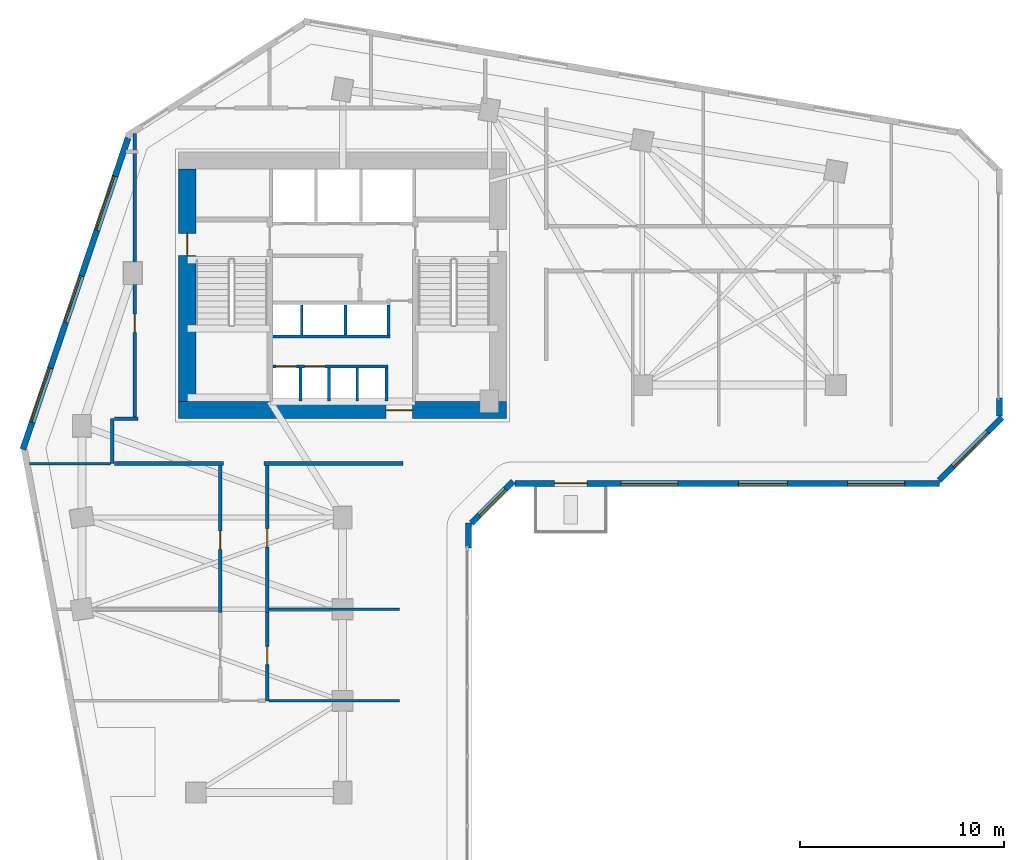
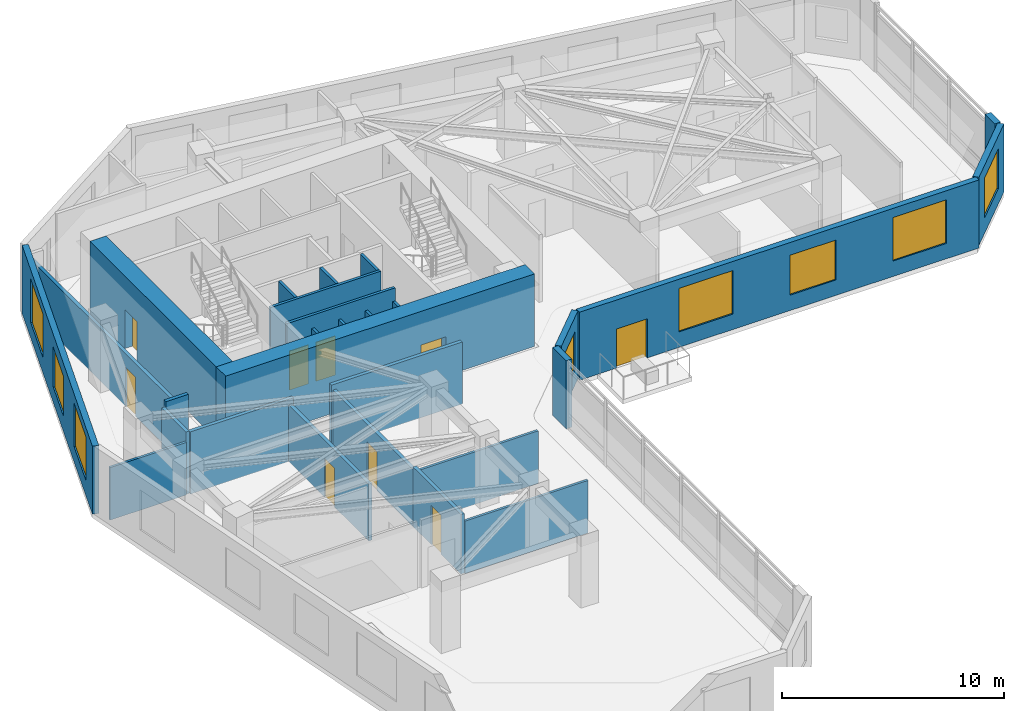
# One storey, part 5 of 9: 28 walls, 9 doors, 8 windows, 17 openings.
"""IFC4 building model written with IfcOpenShell, lengths in metres."""

from ifc_helpers import new_model, si_unit, direction, frame, frame_2d, origin, place, context, subcontext, project, spatial, rectangle, extrude, source, transform, mapped, material, layer, layer_set, type_object, element, fill, save


model = new_model("IFC4")

# Units and contexts
model_context = context("Model", 3, precision=1e-05, world=origin(), true_north=direction((0.0, 1.0)))
body_context = subcontext(model_context, "Body", "Model", "MODEL_VIEW")
ifc_project = project(units=[si_unit("LENGTHUNIT", "METRE"), si_unit("AREAUNIT", "SQUARE_METRE"), si_unit("VOLUMEUNIT", "CUBIC_METRE"), si_unit("PLANEANGLEUNIT", "RADIAN"), si_unit("MASSUNIT", "GRAM", prefix="KILO")], contexts=[model_context])

# Site, building, storey
site_placement = place(None, origin())
site = spatial("IfcSite", under=ifc_project, at=site_placement, CompositionType="ELEMENT")
building_placement = place(site_placement, origin())
building = spatial("IfcBuilding", under=site, at=building_placement, Name="Calvemar Wedge Station Tower", CompositionType="ELEMENT")
storey_placement = place(building_placement, frame((0.0, 0.0, 91.0)))
storey = spatial("IfcBuildingStorey", under=building, at=storey_placement, Name="L22", CompositionType="ELEMENT", Elevation=91.0)

# Wall, opening, door
ifc_material_1 = material(Name="Concrete C80", Category="concrete")
ifc_layer_1 = layer(ifc_material_1, 0.85009765625)
ifc_layer_set_1 = layer_set([ifc_layer_1], Name="Concrete C80")
wall_type_1 = type_object("IfcWallType", Name="SW-CORE-850", PredefinedType="SHEAR", material=ifc_layer_set_1)
wall_1_placement = place(storey_placement, frame((15.75, 33.77490234375, 0.0), z_axis=(0.0, 0.0, 1.0), x_axis=(1.0, 0.0, 0.0)))
wall_1 = element("IfcWall", 1, at=wall_1_placement, inside=storey, type_object=wall_type_1, Name="Storey L22 Core Shear Wall S", PredefinedType="SHEAR", context=body_context, shape_type="SweptSolid", body=[
    extrude(rectangle(XDim=16.10009765625, YDim=0.85009765625, at=frame_2d((8.050048828125, 0.0))), origin(), (0.0, 0.0, 1.0), 4.0),
])
shared_shape_1 = source(origin(), body_context, "Body", "SweptSolid", [
    extrude(rectangle(XDim=1.300048828125, YDim=2.14990234375, at=frame_2d((0.64990234375, 1.074951171875))), frame((0.0, 0.43505859375, 0.0), z_axis=(0.0, -1.0, 0.0), x_axis=(1.0, 0.0, 0.0)), (0.0, 0.0, 1.0), 0.8701171875),
])
opening_1_placement = place(wall_1_placement, frame((10.179931640625, 0.0, 0.0)))
opening_1 = element("IfcOpeningElement", 2, at=opening_1_placement, cuts=wall_1, Name="Opening DD-130", PredefinedType="OPENING", context=body_context, shape_type="MappedRepresentation", body=[
    mapped(shared_shape_1, transform((0.0, 0.0, 0.0), scale=1.0)),
])
ifc_material_2 = material(Name="Double-leaf lift lobby fire door EI 60")
door_type_1 = type_object("IfcDoorType", Name="DR-DBL-1300", OperationType="DOUBLE_DOOR_SINGLE_SWING", PredefinedType="DOOR", material=ifc_material_2)
shared_shape_2 = source(origin(), body_context, "Body", "SweptSolid", [
    extrude(rectangle(XDim=1.300048828125, YDim=2.14990234375, at=frame_2d((0.64990234375, 1.074951171875))), frame((0.0, 0.02490234375, 0.0), z_axis=(0.0, -1.0, 0.0), x_axis=(1.0, 0.0, 0.0)), (0.0, 0.0, 1.0), 0.050048828125),
])
door_1_placement = place(opening_1_placement, origin())
door_1 = element("IfcDoor", 3, at=door_1_placement, inside=storey, type_object=door_type_1, Name="L22 Passenger Lift Lobby Door", OperationType="DOUBLE_DOOR_SINGLE_SWING", OverallHeight=2.14990234375, OverallWidth=1.300048828125, PredefinedType="DOOR", context=body_context, shape_type="MappedRepresentation", body=[
    mapped(shared_shape_2, transform((0.0, 0.0, 0.0), scale=1.0)),
])
fill(opening_1, door_1)

wall_2_placement = place(storey_placement, frame((16.175048828125, 34.199951171875, 0.0), z_axis=(0.0, 0.0, 1.0), x_axis=(0.0, 1.0, 0.0)))
wall_2 = element("IfcWall", 4, at=wall_2_placement, inside=storey, type_object=wall_type_1, Name="Storey L22 Core Shear Wall W", PredefinedType="SHEAR", context=body_context, shape_type="SweptSolid", body=[
    extrude(rectangle(XDim=11.400146484375, YDim=0.85009765625, at=frame_2d((5.7001953125, 0.0))), origin(), (0.0, 0.0, 1.0), 4.0),
])
shared_shape_3 = source(origin(), body_context, "Body", "SweptSolid", [
    extrude(rectangle(XDim=1.10009765625, YDim=2.14990234375, at=frame_2d((0.550048828125, 1.074951171875))), frame((0.0, 0.43505859375, 0.0), z_axis=(0.0, -1.0, 0.0), x_axis=(1.0, 0.0, 0.0)), (0.0, 0.0, 1.0), 0.8701171875),
])
opening_2_placement = place(wall_2_placement, frame((7.14990234375, 0.0, 0.0)))
opening_2 = element("IfcOpeningElement", 5, at=opening_2_placement, cuts=wall_2, Name="Opening FD-90", PredefinedType="OPENING", context=body_context, shape_type="MappedRepresentation", body=[
    mapped(shared_shape_3, transform((0.0, 0.0, 0.0), scale=1.0)),
])
ifc_material_3 = material(Name="Galvanized fire-rated steel door leaf P-90", Category="steel")
door_type_2 = type_object("IfcDoorType", Name="DR-FD90-1100", OperationType="NOTDEFINED", PredefinedType="DOOR", material=ifc_material_3)
shared_shape_4 = source(origin(), body_context, "Body", "SweptSolid", [
    extrude(rectangle(XDim=1.10009765625, YDim=2.14990234375, at=frame_2d((0.550048828125, 1.074951171875))), frame((0.0, 0.02490234375, 0.0), z_axis=(0.0, -1.0, 0.0), x_axis=(1.0, 0.0, 0.0)), (0.0, 0.0, 1.0), 0.050048828125),
])
door_2_placement = place(opening_2_placement, origin())
door_2 = element("IfcDoor", 6, at=door_2_placement, inside=storey, type_object=door_type_2, Name="L22 West Corridor to Exit Stair ST-C1 Door", OperationType="SINGLE_SWING_LEFT", OverallHeight=2.14990234375, OverallWidth=1.10009765625, PredefinedType="DOOR", context=body_context, shape_type="MappedRepresentation", body=[
    mapped(shared_shape_4, transform((0.0, 0.0, 0.0), scale=1.0)),
])
fill(opening_2, door_2)

# Walls
ifc_material_4 = material(Name="Double-stud fire-rated corridor partition")
ifc_layer_2 = layer(ifc_material_4, 0.179931640625)
ifc_layer_set_2 = layer_set([ifc_layer_2], Name="Double-stud fire-rated corridor partition")
wall_type_2 = type_object("IfcWallType", Name="W-CORR-180", PredefinedType="PARTITIONING", material=ifc_layer_set_2)
wall_3_placement = place(storey_placement, frame((12.5, 31.14990234375, 0.0), z_axis=(0.0, 0.0, 1.0), x_axis=(0.0, 1.0, 0.0)))
element("IfcWall", 7, at=wall_3_placement, inside=storey, type_object=wall_type_2, Name="Storey L22 Interior Partition WL-L22-004", PredefinedType="PARTITIONING", context=body_context, shape_type="SweptSolid", body=[
    extrude(rectangle(XDim=2.2001953125, YDim=0.179931640625, at=frame_2d((1.10009765625, 0.0))), origin(), (0.0, 0.0, 1.0), 3.4189453125),
])
wall_4_placement = place(storey_placement, frame((12.593994140625, 33.35009765625, 0.0), z_axis=(0.0, 0.0, 1.0), x_axis=(1.0, 0.0, 0.0)))
element("IfcWall", 8, at=wall_4_placement, inside=storey, type_object=wall_type_2, Name="Storey L22 Interior Partition WL-L22-005", PredefinedType="PARTITIONING", context=body_context, shape_type="SweptSolid", body=[
    extrude(rectangle(XDim=1.166015625, YDim=0.179931640625, at=frame_2d((0.5830078125, 0.0))), origin(), (0.0, 0.0, 1.0), 3.75),
])
wall_5_placement = place(storey_placement, frame((17.9599609375, 31.14990234375, 0.0), z_axis=(0.0, 0.0, 1.0), x_axis=(-1.0, 0.0, 0.0)))
element("IfcWall", 9, at=wall_5_placement, inside=storey, type_object=wall_type_2, Name="Storey L22 Interior Partition WL-L22-006", PredefinedType="PARTITIONING", context=body_context, shape_type="SweptSolid", body=[
    extrude(rectangle(XDim=5.365966796875, YDim=0.179931640625, at=frame_2d((2.68310546875, 0.0))), origin(), (0.0, 0.0, 1.0), 3.4189453125),
])
wall_6_placement = place(storey_placement, frame((26.760009765625, 31.14990234375, 0.0), z_axis=(0.0, 0.0, 1.0), x_axis=(-1.0, 0.0, 0.0)))
element("IfcWall", 10, at=wall_6_placement, inside=storey, type_object=wall_type_2, Name="Storey L22 Interior Partition WL-L22-007", PredefinedType="PARTITIONING", context=body_context, shape_type="SweptSolid", body=[
    extrude(rectangle(XDim=6.820068359375, YDim=0.179931640625, at=frame_2d((3.41015625, 0.0))), origin(), (0.0, 0.0, 1.0), 3.4189453125),
])

# Wall, opening, door
wall_7_placement = place(storey_placement, frame((13.60009765625, 33.444091796875, 0.0), z_axis=(0.0, 0.0, 1.0), x_axis=(0.0, 1.0, 0.0)))
wall_7 = element("IfcWall", 11, at=wall_7_placement, inside=storey, type_object=wall_type_2, Name="Storey L22 Interior Partition WL-L22-008", PredefinedType="PARTITIONING", context=body_context, shape_type="SweptSolid", body=[
    extrude(rectangle(XDim=13.896240234375, YDim=0.179931640625, at=frame_2d((6.9482421875, 0.0))), origin(), (0.0, 0.0, 1.0), 2.89208984375),
])
shared_shape_5 = source(origin(), body_context, "Body", "SweptSolid", [
    extrude(rectangle(XDim=0.89990234375, YDim=2.14990234375, at=frame_2d((0.449951171875, 1.074951171875))), frame((0.0, 0.10009765625, 0.0), z_axis=(0.0, -1.0, 0.0), x_axis=(1.0, 0.0, 0.0)), (0.0, 0.0, 1.0), 0.199951171875),
])
opening_3_placement = place(wall_7_placement, frame((4.143798828125, 0.0, 0.0)))
opening_3 = element("IfcOpeningElement", 12, at=opening_3_placement, cuts=wall_7, Name="Opening D-01", PredefinedType="OPENING", context=body_context, shape_type="MappedRepresentation", body=[
    mapped(shared_shape_5, transform((0.0, 0.0, 0.0), scale=1.0)),
])
ifc_material_5 = material(Name="Architectural hardwood acoustic swing door", Category="wood")
door_type_3 = type_object("IfcDoorType", Name="DR-INT-900", OperationType="NOTDEFINED", PredefinedType="DOOR", material=ifc_material_5)
shared_shape_6 = source(origin(), body_context, "Body", "SweptSolid", [
    extrude(rectangle(XDim=0.89990234375, YDim=2.14990234375, at=frame_2d((0.449951171875, 1.074951171875))), frame((0.0, 0.02490234375, 0.0), z_axis=(0.0, -1.0, 0.0), x_axis=(1.0, 0.0, 0.0)), (0.0, 0.0, 1.0), 0.050048828125),
])
door_3_placement = place(opening_3_placement, origin())
door_3 = element("IfcDoor", 13, at=door_3_placement, inside=storey, type_object=door_type_3, Name="L22 Co-Working Studio Door", OperationType="SINGLE_SWING_LEFT", OverallHeight=2.14990234375, OverallWidth=0.89990234375, PredefinedType="DOOR", context=body_context, shape_type="MappedRepresentation", body=[
    mapped(shared_shape_6, transform((0.0, 0.0, 0.0), scale=1.0)),
])
fill(opening_3, door_3)

wall_8_placement = place(storey_placement, frame((17.800048828125, 23.840087890625, 0.0), z_axis=(0.0, 0.0, 1.0), x_axis=(0.0, 1.0, 0.0)))
wall_8 = element("IfcWall", 14, at=wall_8_placement, inside=storey, type_object=wall_type_2, Name="Storey L22 Interior Partition WL-L22-032", PredefinedType="PARTITIONING", context=body_context, shape_type="SweptSolid", body=[
    extrude(rectangle(XDim=7.2158203125, YDim=0.179931640625, at=frame_2d((3.60791015625, 0.0))), origin(), (0.0, 0.0, 1.0), 3.125),
])
opening_4_placement = place(wall_8_placement, frame((3.0966796875, 0.0, 0.0)))
opening_4 = element("IfcOpeningElement", 15, at=opening_4_placement, cuts=wall_8, Name="Opening D-01", PredefinedType="OPENING", context=body_context, shape_type="MappedRepresentation", body=[
    mapped(shared_shape_5, transform((0.0, 0.0, 0.0), scale=1.0)),
])
door_4_placement = place(opening_4_placement, origin())
door_4 = element("IfcDoor", 16, at=door_4_placement, inside=storey, type_object=door_type_3, Name="L22 Co-Working Studio Door", OperationType="SINGLE_SWING_RIGHT", OverallHeight=2.14990234375, OverallWidth=0.89990234375, PredefinedType="DOOR", context=body_context, shape_type="MappedRepresentation", body=[
    mapped(shared_shape_6, transform((0.0, 0.0, 0.0), scale=1.0)),
])
fill(opening_4, door_4)

wall_9_placement = place(storey_placement, frame((20.10009765625, 31.055908203125, 0.0), z_axis=(0.0, 0.0, 1.0), x_axis=(0.0, -1.0, 0.0)))
wall_9 = element("IfcWall", 17, at=wall_9_placement, inside=storey, type_object=wall_type_2, Name="Storey L22 Interior Partition WL-L22-034", PredefinedType="PARTITIONING", context=body_context, shape_type="SweptSolid", body=[
    extrude(rectangle(XDim=7.2158203125, YDim=0.179931640625, at=frame_2d((3.60791015625, 0.0))), origin(), (0.0, 0.0, 1.0), 3.125),
])
opening_5_placement = place(wall_9_placement, frame((3.0966796875, 0.0, 0.0)))
opening_5 = element("IfcOpeningElement", 18, at=opening_5_placement, cuts=wall_9, Name="Opening D-01", PredefinedType="OPENING", context=body_context, shape_type="MappedRepresentation", body=[
    mapped(shared_shape_5, transform((0.0, 0.0, 0.0), scale=1.0)),
])
door_5_placement = place(opening_5_placement, origin())
door_5 = element("IfcDoor", 19, at=door_5_placement, inside=storey, type_object=door_type_3, Name="L22 Meeting Room Door", OperationType="SINGLE_SWING_RIGHT", OverallHeight=2.14990234375, OverallWidth=0.89990234375, PredefinedType="DOOR", context=body_context, shape_type="MappedRepresentation", body=[
    mapped(shared_shape_6, transform((0.0, 0.0, 0.0), scale=1.0)),
])
fill(opening_5, door_5)

wall_10_placement = place(storey_placement, frame((20.10009765625, 23.837890625, 0.0), z_axis=(0.0, 0.0, 1.0), x_axis=(0.0, -1.0, 0.0)))
wall_10 = element("IfcWall", 20, at=wall_10_placement, inside=storey, type_object=wall_type_2, Name="Storey L22 Interior Partition WL-L22-035", PredefinedType="PARTITIONING", context=body_context, shape_type="SweptSolid", body=[
    extrude(rectangle(XDim=4.337890625, YDim=0.179931640625, at=frame_2d((2.1689453125, 0.0))), origin(), (0.0, 0.0, 1.0), 3.279052734375),
])
opening_6_placement = place(wall_10_placement, frame((1.656494140625, 0.0, 0.0)))
opening_6 = element("IfcOpeningElement", 21, at=opening_6_placement, cuts=wall_10, Name="Opening D-01", PredefinedType="OPENING", context=body_context, shape_type="MappedRepresentation", body=[
    mapped(shared_shape_5, transform((0.0, 0.0, 0.0), scale=1.0)),
])
door_6_placement = place(opening_6_placement, origin())
door_6 = element("IfcDoor", 22, at=door_6_placement, inside=storey, type_object=door_type_3, Name="L22 Office Door", OperationType="SINGLE_SWING_LEFT", OverallHeight=2.14990234375, OverallWidth=0.89990234375, PredefinedType="DOOR", context=body_context, shape_type="MappedRepresentation", body=[
    mapped(shared_shape_6, transform((0.0, 0.0, 0.0), scale=1.0)),
])
fill(opening_6, door_6)

# Wall
ifc_material_6 = material(Name="Precast concrete C45", Category="concrete")
ifc_layer_3 = layer(ifc_material_6, 0.300048828125)
ifc_layer_set_3 = layer_set([ifc_layer_3], Name="Precast concrete C45")
wall_type_3 = type_object("IfcWallType", Name="W-EXT-GFRC-300", PredefinedType="SOLIDWALL", material=ifc_layer_set_3)
wall_11_placement = place(storey_placement, frame((29.97802734375, 27.01513671875, 0.0), z_axis=(0.0, 0.0, 1.0), x_axis=(0.0, 1.0, 0.0)))
element("IfcWall", 23, at=wall_11_placement, inside=storey, type_object=wall_type_3, Name="Storey L22 Bronze GFRC Corner Pier 4B", PredefinedType="SOLIDWALL", context=body_context, shape_type="SweptSolid", body=[
    extrude(rectangle(XDim=1.224853515625, YDim=0.300048828125, at=frame_2d((0.6123046875, 0.0))), origin(), (0.0, 0.0, 1.0), 3.75),
])

# Wall, opening, window
wall_12_placement = place(storey_placement, frame((30.115966796875, 28.22802734375, 0.0), z_axis=(0.0, 0.0, 1.0), x_axis=(0.707064797706, 0.707148762175, 0.0)))
wall_12 = element("IfcWall", 24, at=wall_12_placement, inside=storey, type_object=wall_type_3, Name="Storey L22 Bronze GFRC Exterior Wall 5", PredefinedType="SOLIDWALL", context=body_context, shape_type="SweptSolid", body=[
    extrude(rectangle(XDim=2.90771484375, YDim=0.300048828125, at=frame_2d((1.453857421875, 0.0))), origin(), (0.0, 0.0, 1.0), 3.75),
])
shared_shape_7 = source(origin(), body_context, "Body", "SweptSolid", [
    extrude(rectangle(XDim=1.800048828125, YDim=2.10009765625, at=frame_2d((0.89990234375, 1.050048828125))), frame((0.0, 0.16015625, 0.0), z_axis=(0.0, -1.0, 0.0), x_axis=(1.0, 0.0, 0.0)), (0.0, 0.0, 1.0), 0.320068359375),
])
opening_7_placement = place(wall_12_placement, frame((0.553955078125, 0.0, 0.85009765625)))
opening_7 = element("IfcOpeningElement", 25, at=opening_7_placement, cuts=wall_12, Name="Opening W2", PredefinedType="OPENING", context=body_context, shape_type="MappedRepresentation", body=[
    mapped(shared_shape_7, transform((0.0, 0.0, 0.0), scale=1.0)),
])
ifc_material_7 = material(Name="Low-E laminated insulated glass", Category="glass")
window_type_1 = type_object("IfcWindowType", Name="WIN-EXT-2", PartitioningType="SINGLE_PANEL", PredefinedType="WINDOW", material=ifc_material_7)
shared_shape_8 = source(origin(), body_context, "Body", "SweptSolid", [
    extrude(rectangle(XDim=1.800048828125, YDim=2.10009765625, at=frame_2d((0.89990234375, 1.050048828125))), frame((0.0, -0.014892578125, 0.0), z_axis=(0.0, -1.0, 0.0), x_axis=(1.0, 0.0, 0.0)), (0.0, 0.0, 1.0), 0.06005859375),
])
window_1_placement = place(opening_7_placement, origin())
window_1 = element("IfcWindow", 26, at=window_1_placement, inside=storey, type_object=window_type_1, Name="Storey L22 Recessed Window 5.1", OverallHeight=2.10009765625, OverallWidth=1.800048828125, PartitioningType="SINGLE_PANEL", PredefinedType="WINDOW", context=body_context, shape_type="MappedRepresentation", body=[
    mapped(shared_shape_8, transform((0.0, 0.0, 0.0), scale=1.0)),
])
fill(opening_7, window_1)

# Wall, openings, windows, door
wall_13_placement = place(storey_placement, frame((32.260986328125, 30.177978515625, 0.0), z_axis=(0.0, 0.0, 1.0), x_axis=(1.0, 0.0, 0.0)))
wall_13 = element("IfcWall", 27, at=wall_13_placement, inside=storey, type_object=wall_type_3, Name="Storey L22 Bronze GFRC Exterior Wall 6", PredefinedType="SOLIDWALL", context=body_context, shape_type="SweptSolid", body=[
    extrude(rectangle(XDim=20.826904296875, YDim=0.300048828125, at=frame_2d((10.41357421875, 0.0))), origin(), (0.0, 0.0, 1.0), 3.75),
])
shared_shape_9 = source(origin(), body_context, "Body", "SweptSolid", [
    extrude(rectangle(XDim=1.60009765625, YDim=2.14990234375, at=frame_2d((0.800048828125, 1.074951171875))), frame((0.0, 0.16015625, 0.0), z_axis=(0.0, -1.0, 0.0), x_axis=(1.0, 0.0, 0.0)), (0.0, 0.0, 1.0), 0.320068359375),
])
opening_8_placement = place(wall_13_placement, frame((1.93896484375, 0.0, 0.0)))
opening_8 = element("IfcOpeningElement", 28, at=opening_8_placement, cuts=wall_13, Name="Opening DT1", PredefinedType="OPENING", context=body_context, shape_type="MappedRepresentation", body=[
    mapped(shared_shape_9, transform((0.0, 0.0, 0.0), scale=1.0)),
])
shared_shape_10 = source(origin(), body_context, "Body", "SweptSolid", [
    extrude(rectangle(XDim=2.800048828125, YDim=2.39990234375, at=frame_2d((1.39990234375, 1.199951171875))), frame((0.0, 0.16015625, 0.0), z_axis=(0.0, -1.0, 0.0), x_axis=(1.0, 0.0, 0.0)), (0.0, 0.0, 1.0), 0.320068359375),
])
opening_9_placement = place(wall_13_placement, frame((5.199951171875, 0.0, 0.85009765625)))
opening_9 = element("IfcOpeningElement", 29, at=opening_9_placement, cuts=wall_13, Name="Opening W6", PredefinedType="OPENING", context=body_context, shape_type="MappedRepresentation", body=[
    mapped(shared_shape_10, transform((0.0, 0.0, 0.0), scale=1.0)),
])
shared_shape_11 = source(origin(), body_context, "Body", "SweptSolid", [
    extrude(rectangle(XDim=2.39990234375, YDim=2.199951171875, at=frame_2d((1.199951171875, 1.10009765625))), frame((0.0, 0.16015625, 0.0), z_axis=(0.0, -1.0, 0.0), x_axis=(1.0, 0.0, 0.0)), (0.0, 0.0, 1.0), 0.320068359375),
])
opening_10_placement = place(wall_13_placement, frame((10.962890625, 0.0, 0.85009765625)))
opening_10 = element("IfcOpeningElement", 30, at=opening_10_placement, cuts=wall_13, Name="Opening W1", PredefinedType="OPENING", context=body_context, shape_type="MappedRepresentation", body=[
    mapped(shared_shape_11, transform((0.0, 0.0, 0.0), scale=1.0)),
])
opening_11_placement = place(wall_13_placement, frame((16.325927734375, 0.0, 0.85009765625)))
opening_11 = element("IfcOpeningElement", 31, at=opening_11_placement, cuts=wall_13, Name="Opening W6", PredefinedType="OPENING", context=body_context, shape_type="MappedRepresentation", body=[
    mapped(shared_shape_10, transform((0.0, 0.0, 0.0), scale=1.0)),
])
window_type_2 = type_object("IfcWindowType", Name="WIN-EXT-6", PartitioningType="SINGLE_PANEL", PredefinedType="WINDOW", material=ifc_material_7)
shared_shape_12 = source(origin(), body_context, "Body", "SweptSolid", [
    extrude(rectangle(XDim=2.800048828125, YDim=2.39990234375, at=frame_2d((1.39990234375, 1.199951171875))), frame((0.0, -0.014892578125, 0.0), z_axis=(0.0, -1.0, 0.0), x_axis=(1.0, 0.0, 0.0)), (0.0, 0.0, 1.0), 0.06005859375),
])
window_2_placement = place(opening_9_placement, origin())
window_2 = element("IfcWindow", 32, at=window_2_placement, inside=storey, type_object=window_type_2, Name="Storey L22 Recessed Window 6.1", OverallHeight=2.39990234375, OverallWidth=2.800048828125, PartitioningType="SINGLE_PANEL", PredefinedType="WINDOW", context=body_context, shape_type="MappedRepresentation", body=[
    mapped(shared_shape_12, transform((0.0, 0.0, 0.0), scale=1.0)),
])
fill(opening_9, window_2)
window_3_placement = place(opening_11_placement, origin())
window_3 = element("IfcWindow", 33, at=window_3_placement, inside=storey, type_object=window_type_2, Name="Storey L22 Recessed Window 6.3", OverallHeight=2.39990234375, OverallWidth=2.800048828125, PartitioningType="SINGLE_PANEL", PredefinedType="WINDOW", context=body_context, shape_type="MappedRepresentation", body=[
    mapped(shared_shape_12, transform((0.0, 0.0, 0.0), scale=1.0)),
])
fill(opening_11, window_3)
window_type_3 = type_object("IfcWindowType", Name="WIN-EXT-1", PartitioningType="SINGLE_PANEL", PredefinedType="WINDOW", material=ifc_material_7)
shared_shape_13 = source(origin(), body_context, "Body", "SweptSolid", [
    extrude(rectangle(XDim=2.39990234375, YDim=2.199951171875, at=frame_2d((1.199951171875, 1.10009765625))), frame((0.0, -0.014892578125, 0.0), z_axis=(0.0, -1.0, 0.0), x_axis=(1.0, 0.0, 0.0)), (0.0, 0.0, 1.0), 0.06005859375),
])
window_4_placement = place(opening_10_placement, origin())
window_4 = element("IfcWindow", 34, at=window_4_placement, inside=storey, type_object=window_type_3, Name="Storey L22 Recessed Window 6.2", OverallHeight=2.199951171875, OverallWidth=2.39990234375, PartitioningType="SINGLE_PANEL", PredefinedType="WINDOW", context=body_context, shape_type="MappedRepresentation", body=[
    mapped(shared_shape_13, transform((0.0, 0.0, 0.0), scale=1.0)),
])
fill(opening_10, window_4)
ifc_material_8 = material(Name="Anodised aluminium 6063-T6", Category="aluminium")
door_type_4 = type_object("IfcDoorType", Name="DR-TERR-1600", OperationType="DOUBLE_DOOR_SLIDING", PredefinedType="DOOR", material=ifc_material_8)
shared_shape_14 = source(origin(), body_context, "Body", "SweptSolid", [
    extrude(rectangle(XDim=1.60009765625, YDim=2.14990234375, at=frame_2d((0.800048828125, 1.074951171875))), frame((0.0, 0.02490234375, 0.0), z_axis=(0.0, -1.0, 0.0), x_axis=(1.0, 0.0, 0.0)), (0.0, 0.0, 1.0), 0.050048828125),
])
door_7_placement = place(opening_8_placement, origin())
door_7 = element("IfcDoor", 35, at=door_7_placement, inside=storey, type_object=door_type_4, Name="Storey L22 Spiral Terrace Door", OperationType="DOUBLE_DOOR_SLIDING", OverallHeight=2.14990234375, OverallWidth=1.60009765625, PredefinedType="DOOR", context=body_context, shape_type="MappedRepresentation", body=[
    mapped(shared_shape_14, transform((0.0, 0.0, 0.0), scale=1.0)),
])
fill(opening_8, door_7)

# Wall, opening, window
wall_14_placement = place(storey_placement, frame((53.075927734375, 30.31591796875, 0.0), z_axis=(0.0, 0.0, 1.0), x_axis=(0.707078757535, 0.707134803727, 0.0)))
wall_14 = element("IfcWall", 36, at=wall_14_placement, inside=storey, type_object=wall_type_3, Name="Storey L22 Bronze GFRC Exterior Wall 7", PredefinedType="SOLIDWALL", context=body_context, shape_type="SweptSolid", body=[
    extrude(rectangle(XDim=4.35595703125, YDim=0.300048828125, at=frame_2d((2.177978515625, 0.0))), origin(), (0.0, 0.0, 1.0), 3.75),
])
opening_12_placement = place(wall_14_placement, frame((0.97802734375, 0.0, 0.85009765625)))
opening_12 = element("IfcOpeningElement", 37, at=opening_12_placement, cuts=wall_14, Name="Opening W1", PredefinedType="OPENING", context=body_context, shape_type="MappedRepresentation", body=[
    mapped(shared_shape_11, transform((0.0, 0.0, 0.0), scale=1.0)),
])
window_5_placement = place(opening_12_placement, origin())
window_5 = element("IfcWindow", 38, at=window_5_placement, inside=storey, type_object=window_type_3, Name="Storey L22 Recessed Window 7.1", OverallHeight=2.199951171875, OverallWidth=2.39990234375, PartitioningType="SINGLE_PANEL", PredefinedType="WINDOW", context=body_context, shape_type="MappedRepresentation", body=[
    mapped(shared_shape_13, transform((0.0, 0.0, 0.0), scale=1.0)),
])
fill(opening_12, window_5)

# Wall
wall_15_placement = place(storey_placement, frame((56.050048828125, 33.4853515625, 0.0), z_axis=(0.0, 0.0, 1.0), x_axis=(0.0, 1.0, 0.0)))
element("IfcWall", 39, at=wall_15_placement, inside=storey, type_object=wall_type_3, Name="Storey L22 Bronze GFRC Corner Pier 8A", PredefinedType="SOLIDWALL", context=body_context, shape_type="SweptSolid", body=[
    extrude(rectangle(XDim=0.879638671875, YDim=0.300048828125, at=frame_2d((0.43994140625, 0.0))), origin(), (0.0, 0.0, 1.0), 3.75),
])

# Wall, openings, windows
wall_16_placement = place(storey_placement, frame((13.2685546875, 47.1337890625, 0.0), z_axis=(0.0, 0.0, 1.0), x_axis=(-0.319920423265, -0.947444416722, 0.0)))
wall_16 = element("IfcWall", 40, at=wall_16_placement, inside=storey, type_object=wall_type_3, Name="Storey L22 Bronze GFRC Exterior Wall 12", PredefinedType="SOLIDWALL", context=body_context, shape_type="SweptSolid", body=[
    extrude(rectangle(XDim=16.134765625, YDim=0.300048828125, at=frame_2d((8.0673828125, 0.0))), origin(), (0.0, 0.0, 1.0), 3.75),
])
opening_13_placement = place(wall_16_placement, frame((1.988037109375, 0.0, 0.85009765625)))
opening_13 = element("IfcOpeningElement", 41, at=opening_13_placement, cuts=wall_16, Name="Opening W6", PredefinedType="OPENING", context=body_context, shape_type="MappedRepresentation", body=[
    mapped(shared_shape_10, transform((0.0, 0.0, 0.0), scale=1.0)),
])
opening_14_placement = place(wall_16_placement, frame((7.158935546875, 0.0, 0.85009765625)))
opening_14 = element("IfcOpeningElement", 42, at=opening_14_placement, cuts=wall_16, Name="Opening W1", PredefinedType="OPENING", context=body_context, shape_type="MappedRepresentation", body=[
    mapped(shared_shape_11, transform((0.0, 0.0, 0.0), scale=1.0)),
])
opening_15_placement = place(wall_16_placement, frame((11.929931640625, 0.0, 0.85009765625)))
opening_15 = element("IfcOpeningElement", 43, at=opening_15_placement, cuts=wall_16, Name="Opening W6", PredefinedType="OPENING", context=body_context, shape_type="MappedRepresentation", body=[
    mapped(shared_shape_10, transform((0.0, 0.0, 0.0), scale=1.0)),
])
window_6_placement = place(opening_13_placement, origin())
window_6 = element("IfcWindow", 44, at=window_6_placement, inside=storey, type_object=window_type_2, Name="Storey L22 Recessed Window 12.1", OverallHeight=2.39990234375, OverallWidth=2.800048828125, PartitioningType="SINGLE_PANEL", PredefinedType="WINDOW", context=body_context, shape_type="MappedRepresentation", body=[
    mapped(shared_shape_12, transform((0.0, 0.0, 0.0), scale=1.0)),
])
fill(opening_13, window_6)
window_7_placement = place(opening_15_placement, origin())
window_7 = element("IfcWindow", 45, at=window_7_placement, inside=storey, type_object=window_type_2, Name="Storey L22 Recessed Window 12.3", OverallHeight=2.39990234375, OverallWidth=2.800048828125, PartitioningType="SINGLE_PANEL", PredefinedType="WINDOW", context=body_context, shape_type="MappedRepresentation", body=[
    mapped(shared_shape_12, transform((0.0, 0.0, 0.0), scale=1.0)),
])
fill(opening_15, window_7)
window_8_placement = place(opening_14_placement, origin())
window_8 = element("IfcWindow", 46, at=window_8_placement, inside=storey, type_object=window_type_3, Name="Storey L22 Recessed Window 12.2", OverallHeight=2.199951171875, OverallWidth=2.39990234375, PartitioningType="SINGLE_PANEL", PredefinedType="WINDOW", context=body_context, shape_type="MappedRepresentation", body=[
    mapped(shared_shape_13, transform((0.0, 0.0, 0.0), scale=1.0)),
])
fill(opening_14, window_8)

# Wall, openings, doors
ifc_material_9 = material(Name="Reinforced concrete blockwork lift shaft wall", Category="masonry")
ifc_layer_4 = layer(ifc_material_9, 0.139892578125)
ifc_layer_set_4 = layer_set([ifc_layer_4], Name="Reinforced concrete blockwork lift shaft wall")
wall_type_4 = type_object("IfcWallType", Name="W-LIFT-160", PredefinedType="SOLIDWALL", material=ifc_layer_set_4)
wall_17_placement = place(storey_placement, frame((20.3798828125, 35.919921875, 0.0), z_axis=(0.0, 0.0, 1.0), x_axis=(1.0, 0.0, 0.0)))
wall_17 = element("IfcWall", 47, at=wall_17_placement, inside=storey, type_object=wall_type_4, Name="Storey L22 South Passenger Lift Bank Front Wall", PredefinedType="SOLIDWALL", context=body_context, shape_type="SweptSolid", body=[
    extrude(rectangle(XDim=5.650146484375, YDim=0.139892578125, at=frame_2d((2.8251953125, 0.0))), origin(), (0.0, 0.0, 1.0), 3.75),
])
shared_shape_15 = source(origin(), body_context, "Body", "SweptSolid", [
    extrude(rectangle(XDim=1.0, YDim=2.14990234375, at=frame_2d((0.5, 1.074951171875))), frame((0.0, 0.080078125, 0.0), z_axis=(0.0, -1.0, 0.0), x_axis=(1.0, 0.0, 0.0)), (0.0, 0.0, 1.0), 0.159912109375),
])
opening_16_placement = place(wall_17_placement, frame((0.159912109375, 0.0, 0.0)))
opening_16 = element("IfcOpeningElement", 48, at=opening_16_placement, cuts=wall_17, Name="Opening LD-PAX", PredefinedType="OPENING", context=body_context, shape_type="MappedRepresentation", body=[
    mapped(shared_shape_15, transform((0.0, 0.0, 0.0), scale=1.0)),
])
opening_17_placement = place(wall_17_placement, frame((1.550048828125, 0.0, 0.0)))
opening_17 = element("IfcOpeningElement", 49, at=opening_17_placement, cuts=wall_17, Name="Opening LD-PAX", PredefinedType="OPENING", context=body_context, shape_type="MappedRepresentation", body=[
    mapped(shared_shape_15, transform((0.0, 0.0, 0.0), scale=1.0)),
])
ifc_material_10 = material(Name="Anodised bronze passenger lift sliding landing door")
door_type_5 = type_object("IfcDoorType", Name="DR-LD-PAX-1000", OperationType="SLIDING_TO_LEFT", PredefinedType="DOOR", material=ifc_material_10)
shared_shape_16 = source(origin(), body_context, "Body", "SweptSolid", [
    extrude(rectangle(XDim=1.0, YDim=2.14990234375, at=frame_2d((0.5, 1.074951171875))), frame((0.0, 0.02490234375, 0.0), z_axis=(0.0, -1.0, 0.0), x_axis=(1.0, 0.0, 0.0)), (0.0, 0.0, 1.0), 0.050048828125),
])
door_8_placement = place(opening_16_placement, origin())
door_8 = element("IfcDoor", 50, at=door_8_placement, inside=storey, type_object=door_type_5, Name="L22 Lift OL-01 Sliding Landing Door", OperationType="SLIDING_TO_LEFT", OverallHeight=2.14990234375, OverallWidth=1.0, PredefinedType="DOOR", context=body_context, shape_type="MappedRepresentation", body=[
    mapped(shared_shape_16, transform((0.0, 0.0, 0.0), scale=1.0)),
])
fill(opening_16, door_8)
door_9_placement = place(opening_17_placement, origin())
door_9 = element("IfcDoor", 51, at=door_9_placement, inside=storey, type_object=door_type_5, Name="L22 Lift OL-02 Sliding Landing Door", OperationType="SLIDING_TO_RIGHT", OverallHeight=2.14990234375, OverallWidth=1.0, PredefinedType="DOOR", context=body_context, shape_type="MappedRepresentation", body=[
    mapped(shared_shape_16, transform((0.0, 0.0, 0.0), scale=1.0)),
])
fill(opening_17, door_9)

# Walls
for number, where, z_axis, x_axis, name in (
    (52, (25.9599609375, 34.219970703125, 0.0), (0.0, 0.0, 1.0), (0.0, 1.0, 0.0), "Storey L22 South Passenger Lift Shaft Wall E"),
    (53, (21.735107421875, 34.219970703125, 0.0), (0.0, 0.0, 1.0), (0.0, 1.0, 0.0), "Storey L22 South Passenger Lift Shaft Wall D1"),
    (54, (23.125, 34.219970703125, 0.0), (0.0, 0.0, 1.0), (0.0, 1.0, 0.0), "Storey L22 South Passenger Lift Shaft Wall D2"),
    (55, (24.514892578125, 34.219970703125, 0.0), (0.0, 0.0, 1.0), (0.0, 1.0, 0.0), "Storey L22 South Passenger Lift Shaft Wall D3"),
):
    element("IfcWall", number, at=place(storey_placement, frame(where, z_axis=z_axis, x_axis=x_axis)), inside=storey, type_object=wall_type_4, Name=name, PredefinedType="SOLIDWALL", context=body_context, shape_type="SweptSolid", body=[
        extrude(rectangle(XDim=1.6201171875, YDim=0.139892578125, at=frame_2d((0.81005859375, 0.0))), origin(), (0.0, 0.0, 1.0), 3.0419921875),
    ])
wall_18_placement = place(storey_placement, frame((20.3798828125, 37.3798828125, 0.0), z_axis=(0.0, 0.0, 1.0), x_axis=(1.0, 0.0, 0.0)))
element("IfcWall", 56, at=wall_18_placement, inside=storey, type_object=wall_type_4, Name="Storey L22 Upper Passenger Lift Bank Front Wall", PredefinedType="SOLIDWALL", context=body_context, shape_type="SweptSolid", body=[
    extrude(rectangle(XDim=5.75, YDim=0.139892578125, at=frame_2d((2.875, 0.0))), origin(), (0.0, 0.0, 1.0), 3.75),
])
for number, where, z_axis, x_axis, name in (
    (57, (26.06005859375, 37.4599609375, 0.0), (0.0, 0.0, 1.0), (0.0, 1.0, 0.0), "Storey L22 Upper Passenger Lift Shaft Wall E"),
    (58, (21.794921875, 37.4599609375, 0.0), (0.0, 0.0, 1.0), (0.0, 1.0, 0.0), "Storey L22 Upper Passenger Lift Shaft Wall D1"),
    (59, (23.93505859375, 37.4599609375, 0.0), (0.0, 0.0, 1.0), (0.0, 1.0, 0.0), "Storey L22 Upper Passenger Lift Shaft Wall D2"),
):
    element("IfcWall", number, at=place(storey_placement, frame(where, z_axis=z_axis, x_axis=x_axis)), inside=storey, type_object=wall_type_4, Name=name, PredefinedType="SOLIDWALL", context=body_context, shape_type="SweptSolid", body=[
        extrude(rectangle(XDim=1.47998046875, YDim=0.139892578125, at=frame_2d((0.739990234375, 0.0))), origin(), (0.0, 0.0, 1.0), 3.75),
    ])
ifc_material_11 = material(Name="Insulated acoustic gypsum stud partition")
ifc_layer_5 = layer(ifc_material_11, 0.125)
ifc_layer_set_5 = layer_set([ifc_layer_5], Name="Insulated acoustic gypsum stud partition")
wall_type_5 = type_object("IfcWallType", Name="W-PART-125", PredefinedType="PARTITIONING", material=ifc_layer_set_5)
wall_19_placement = place(storey_placement, frame((12.406005859375, 31.14990234375, 0.0), z_axis=(0.0, 0.0, 1.0), x_axis=(-1.0, 0.0, 0.0)))
element("IfcWall", 60, at=wall_19_placement, inside=storey, type_object=wall_type_5, Name="Storey L22 Interior Partition WL-L22-016", PredefinedType="PARTITIONING", context=body_context, shape_type="SweptSolid", body=[
    extrude(rectangle(XDim=3.97900390625, YDim=0.125, at=frame_2d((1.989501953125, 0.0))), origin(), (0.0, 0.0, 1.0), 2.89208984375),
])
for number, where, z_axis, x_axis, name in (
    (61, (26.60009765625, 24.0, 0.0), (0.0, 0.0, 1.0), (-1.0, 0.0, 0.0), "Storey L22 Interior Partition WL-L22-039"),
    (62, (26.60009765625, 19.5, 0.0), (0.0, 0.0, 1.0), (-1.0, 0.0, 0.0), "Storey L22 Interior Partition WL-L22-040"),
):
    element("IfcWall", number, at=place(storey_placement, frame(where, z_axis=z_axis, x_axis=x_axis)), inside=storey, type_object=wall_type_5, Name=name, PredefinedType="PARTITIONING", context=body_context, shape_type="SweptSolid", body=[
        extrude(rectangle(XDim=6.406005859375, YDim=0.125, at=frame_2d((3.203125, 0.0))), origin(), (0.0, 0.0, 1.0), 2.89208984375),
    ])

save(model, "model.ifc")
